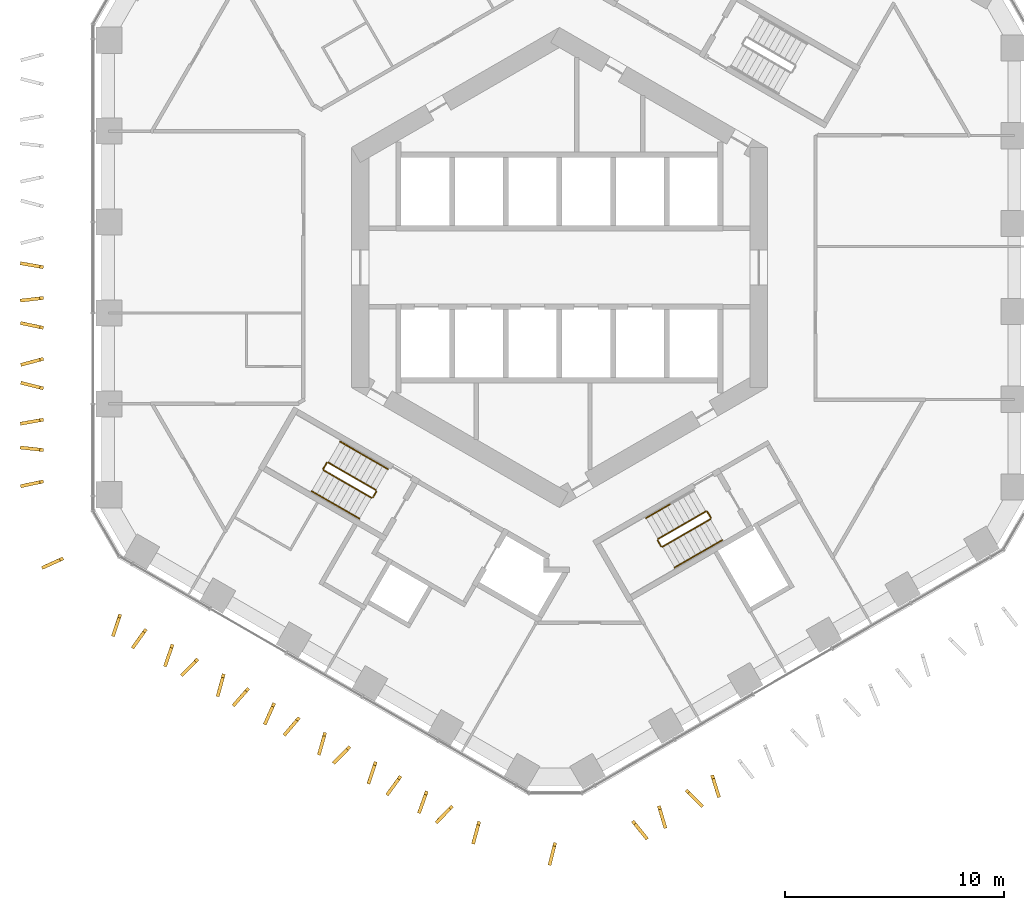
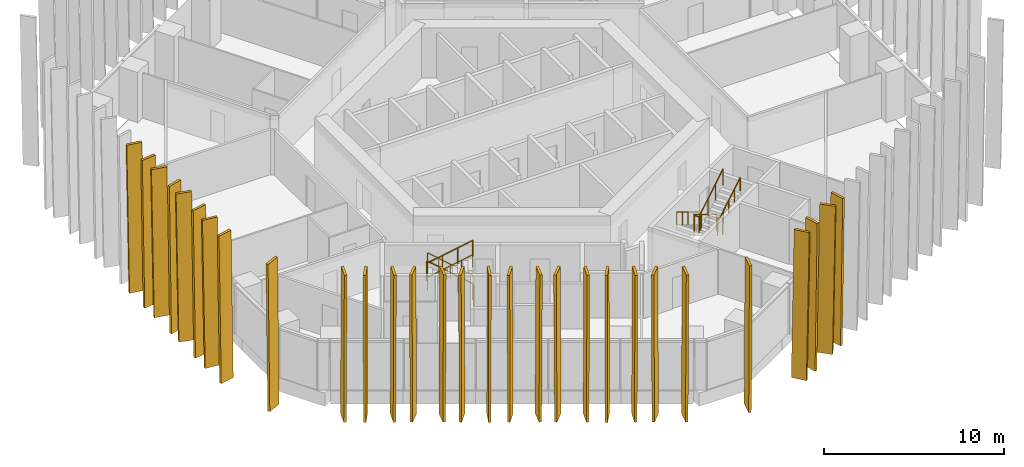
# One storey, part 18 of 20: 29 shading devices, 15 railings.
"""IFC4 building model written with IfcOpenShell, lengths in metres."""

from ifc_helpers import new_model, si_unit, direction, frame, origin, origin_2d, place, context, subcontext, project, spatial, polyline, circle, outline, extrude, material, layer, layer_set, type_object, element, save


model = new_model("IFC4")

# Units and contexts
model_context = context("Model", 3, precision=1e-05, world=origin(), true_north=direction((0.0, 1.0)))
body_context = subcontext(model_context, "Body", "Model", "MODEL_VIEW")
ifc_project = project(units=[si_unit("LENGTHUNIT", "METRE"), si_unit("AREAUNIT", "SQUARE_METRE"), si_unit("VOLUMEUNIT", "CUBIC_METRE"), si_unit("PLANEANGLEUNIT", "RADIAN"), si_unit("MASSUNIT", "GRAM", prefix="KILO")], contexts=[model_context])

# Site, building, storey
site_placement = place(None, origin())
site = spatial("IfcSite", under=ifc_project, at=site_placement, CompositionType="ELEMENT")
building_placement = place(site_placement, origin())
building = spatial("IfcBuilding", under=site, at=building_placement, Name="Ayvan Gate Tower", CompositionType="ELEMENT")
storey_placement = place(building_placement, frame((0.0, 0.0, 35.699951171875)))
storey = spatial("IfcBuildingStorey", under=building, at=storey_placement, Name="L08", CompositionType="ELEMENT", Elevation=35.699951171875)

# Shading devices
ifc_material_1 = material(Name="Bronze anodised aluminium", Category="aluminium")
ifc_layer = layer(ifc_material_1, 0.14990234375)
ifc_layer_set = layer_set([ifc_layer], Name="Bronze anodised aluminium")
shading_device_type = type_object("IfcShadingDeviceType", Name="Bronze fin 900 x 150", PredefinedType="USERDEFINED", material=ifc_layer_set)
shading_device_1_placement = place(storey_placement, frame((-23.560546875, 0.0859375, 0.0), z_axis=(0.172663272649, 0.984980900215, 0.000143141374), x_axis=(-0.984980910306, 0.17266327442, -1.9123e-08)))
element("IfcShadingDevice", 1, at=shading_device_1_placement, inside=storey, type_object=shading_device_type, Name="Bronze fin FG02.3.24", ObjectType="FIN", PredefinedType="USERDEFINED", context=body_context, shape_type="SweptSolid", body=[
    extrude(outline(polyline([(0.0, 0.0), (0.9000127419739711, -6.776263578034403e-21), (1.0672941366405277, 10.080078248677435), (0.16732354878628808, 10.080078214256483), (0.0, 0.0)])), origin(), (0.0, 0.0, -1.0), 0.14990234375),
])
shading_device_2_placement = place(storey_placement, frame((-23.58251953125, -1.317626953125, 0.0), z_axis=(-0.112024119441, 0.993705475962, 0.000153971259), x_axis=(-0.993705487741, -0.112024120769, -2.339e-09)))
element("IfcShadingDevice", 2, at=shading_device_2_placement, inside=storey, type_object=shading_device_type, Name="Bronze fin FG02.3.25", ObjectType="FIN", PredefinedType="USERDEFINED", context=body_context, shape_type="SweptSolid", body=[
    extrude(outline(polyline([(0.0, 0.0), (0.9001960129295483, 0.0), (1.0671940431122766, 10.08007824698109), (0.1672406340615714, 10.080078242770599), (0.0, 0.0)])), origin(), (0.0, 0.0, -1.0), 0.14990234375),
])
shading_device_3_placement = place(storey_placement, frame((-23.557861328125, -2.682373046875, 0.0), z_axis=(0.205497744868, 0.978657577046, 0.000154095417), x_axis=(-0.978657588664, 0.205497747312, -2.4754e-08)))
element("IfcShadingDevice", 3, at=shading_device_3_placement, inside=storey, type_object=shading_device_type, Name="Bronze fin FG02.3.26", ObjectType="FIN", PredefinedType="USERDEFINED", context=body_context, shape_type="SweptSolid", body=[
    extrude(outline(polyline([(0.0, 0.0), (0.8998499059505981, 3.3881317890172014e-21), (1.067133493766855, 10.080078271093132), (0.16709482808936452, 10.08007822653941), (0.0, 0.0)])), origin(), (0.0, 0.0, -1.0), 0.14990234375),
])
shading_device_4_placement = place(storey_placement, frame((-23.591552734375, -4.10009765625, 0.0), z_axis=(-0.25540786624, 0.966833388509, 0.000143970037), x_axis=(-0.966833398529, -0.255407868885, -1.8881e-08)))
element("IfcShadingDevice", 4, at=shading_device_4_placement, inside=storey, type_object=shading_device_type, Name="Bronze fin FG02.3.27", ObjectType="FIN", PredefinedType="USERDEFINED", context=body_context, shape_type="SweptSolid", body=[
    extrude(outline(polyline([(0.0, 0.0), (0.8999348234812102, -6.776263578034403e-21), (1.067009551934036, 10.08007824961287), (0.16701237301608637, 10.080078215628529), (0.0, 0.0)])), origin(), (0.0, 0.0, -1.0), 0.14990234375),
])
shading_device_5_placement = place(storey_placement, frame((-23.55419921875, -5.451171875, 0.0), z_axis=(0.244385986199, 0.969678025151, 0.000131487133), x_axis=(-0.969678033533, 0.244385988311, 0.0)))
element("IfcShadingDevice", 5, at=shading_device_5_placement, inside=storey, type_object=shading_device_type, Name="Bronze fin FG02.3.28", ObjectType="FIN", PredefinedType="USERDEFINED", context=body_context, shape_type="SweptSolid", body=[
    extrude(outline(polyline([(0.0, 0.0), (0.9000953968140175, 0.0), (1.067191691346759, 10.080078212136561), (0.16709629453274144, 10.080078212136561), (0.0, 0.0)])), origin(), (0.0, 0.0, -1.0), 0.14990234375),
])
shading_device_6_placement = place(storey_placement, frame((-23.586669921875, -6.876220703125, 0.0), z_axis=(-0.175231999907, 0.984527157375, 0.000150331861), x_axis=(-0.9845271685, -0.175232001887, -3.572e-09)))
element("IfcShadingDevice", 6, at=shading_device_6_placement, inside=storey, type_object=shading_device_type, Name="Bronze fin FG02.3.29", ObjectType="FIN", PredefinedType="USERDEFINED", context=body_context, shape_type="SweptSolid", body=[
    extrude(outline(polyline([(0.0, 0.0), (0.9001546618344943, -3.3881317890172014e-21), (1.0670690519647303, 10.080078242715189), (0.16715475320848305, 10.080078236284663), (0.0, 0.0)])), origin(), (0.0, 0.0, -1.0), 0.14990234375),
])
shading_device_7_placement = place(storey_placement, frame((-23.56591796875, -8.265869140625, 0.0), z_axis=(0.110967519887, 0.993824022855, 0.000145349725), x_axis=(-0.993824033353, 0.11096752106, 0.0)))
element("IfcShadingDevice", 7, at=shading_device_7_placement, inside=storey, type_object=shading_device_type, Name="Bronze fin FG02.3.30", ObjectType="FIN", PredefinedType="USERDEFINED", context=body_context, shape_type="SweptSolid", body=[
    extrude(outline(polyline([(0.0, 0.0), (0.8998445191125883, 0.0), (1.0669738875665722, 10.080078231478602), (0.16712936845398382, 10.080078231478602), (0.0, 0.0)])), origin(), (0.0, 0.0, -1.0), 0.14990234375),
])
shading_device_8_placement = place(storey_placement, frame((-23.588623046875, -9.698486328125, 0.0), z_axis=(-0.20630441024, 0.978487847121, 0.000152812125), x_axis=(-0.978487858545, -0.206304412652, 2.0281e-08)))
element("IfcShadingDevice", 8, at=shading_device_8_placement, inside=storey, type_object=shading_device_type, Name="Bronze fin FG02.3.31", ObjectType="FIN", PredefinedType="USERDEFINED", context=body_context, shape_type="SweptSolid", body=[
    extrude(outline(polyline([(0.0, 0.0), (0.900000821240381, 0.0), (1.0672215154228042, 10.080078221048833), (0.16727106147066828, 10.080078257552891), (0.0, 0.0)])), origin(), (0.0, 0.0, -1.0), 0.14990234375),
])
shading_device_9_placement = place(storey_placement, frame((-22.701171875, -13.21826171875, 0.0), z_axis=(-0.413925555418, 0.91031072345, 0.000146096424), x_axis=(-0.910310733165, -0.413925559836, 0.0)))
element("IfcShadingDevice", 9, at=shading_device_9_placement, inside=storey, type_object=shading_device_type, Name="Bronze fin FG02.4.32", ObjectType="FIN", PredefinedType="USERDEFINED", context=body_context, shape_type="SweptSolid", body=[
    extrude(outline(polyline([(0.0, 0.0), (0.9000618224633137, 0.0), (1.0672804386956734, 10.08007823257543), (0.16721861623235973, 10.08007823257543), (0.0, 0.0)])), origin(), (0.0, 0.0, -1.0), 0.14990234375),
])
shading_device_10_placement = place(storey_placement, frame((-20.1318359375, -15.819580078125, 0.0), z_axis=(-0.947852754339, 0.318708538088, 0.000154406125), x_axis=(-0.318708541886, -0.947852765639, 6.673e-09)))
element("IfcShadingDevice", 10, at=shading_device_10_placement, inside=storey, type_object=shading_device_type, Name="Bronze fin FG02.5.33", ObjectType="FIN", PredefinedType="USERDEFINED", context=body_context, shape_type="SweptSolid", body=[
    extrude(outline(polyline([(0.0, 0.0), (0.9002021368709099, 0.0), (1.067113949386611, 10.080078238039876), (0.16714322188231223, 10.080078250052626), (0.0, 0.0)])), origin(), (0.0, 0.0, -1.0), 0.14990234375),
])
shading_device_11_placement = place(storey_placement, frame((-18.9453125, -16.480224609375, 0.0), z_axis=(-0.812200131244, 0.583378885184, 0.000152083509), x_axis=(-0.583378891928, -0.812200140638, 1.6756e-08)))
element("IfcShadingDevice", 11, at=shading_device_11_placement, inside=storey, type_object=shading_device_type, Name="Bronze fin FG02.5.34", ObjectType="FIN", PredefinedType="USERDEFINED", context=body_context, shape_type="SweptSolid", body=[
    extrude(outline(polyline([(0.0, 0.0), (0.8999003512490823, 0.0), (1.0672019706034617, 10.080078223691407), (0.1671591928670923, 10.08007825385059), (0.0, 0.0)])), origin(), (0.0, 0.0, -1.0), 0.14990234375),
])
shading_device_12_placement = place(storey_placement, frame((-17.743408203125, -17.19775390625, 0.0), z_axis=(-0.943928108129, 0.330151029629, 0.000155947465), x_axis=(-0.330151033642, -0.943928119607, 6.983e-09)))
element("IfcShadingDevice", 12, at=shading_device_12_placement, inside=storey, type_object=shading_device_type, Name="Bronze fin FG02.5.35", ObjectType="FIN", PredefinedType="USERDEFINED", context=body_context, shape_type="SweptSolid", body=[
    extrude(outline(polyline([(0.0, 0.0), (0.9000643711365356, -1.3552527156068805e-20), (1.0671295413540909, 10.080078240120281), (0.16729562141863122, 10.08007825268855), (0.0, 0.0)])), origin(), (0.0, 0.0, -1.0), 0.14990234375),
])
shading_device_13_placement = place(storey_placement, frame((-16.574951171875, -17.83349609375, 0.0), z_axis=(-0.714124678783, 0.700018512288, 0.000160021695), x_axis=(-0.700018521251, -0.714124687926, -3.06e-10)))
element("IfcShadingDevice", 13, at=shading_device_13_placement, inside=storey, type_object=shading_device_type, Name="Bronze fin FG02.5.36", ObjectType="FIN", PredefinedType="USERDEFINED", context=body_context, shape_type="SweptSolid", body=[
    extrude(outline(polyline([(0.0, 0.0), (0.9001557877583685, -1.3552527156068805e-20), (1.0671167832617368, 10.08007825438665), (0.16730624531029628, 10.08007825383566), (0.0, 0.0)])), origin(), (0.0, 0.0, -1.0), 0.14990234375),
])
shading_device_14_placement = place(storey_placement, frame((-15.40625, -18.5517578125, 0.0), z_axis=(-0.964229656786, 0.265068197715, 0.000139767664), x_axis=(-0.265068200304, -0.964229666204, 0.0)))
element("IfcShadingDevice", 14, at=shading_device_14_placement, inside=storey, type_object=shading_device_type, Name="Bronze fin FG02.5.37", ObjectType="FIN", PredefinedType="USERDEFINED", context=body_context, shape_type="SweptSolid", body=[
    extrude(outline(polyline([(0.0, 0.0), (0.8998642249476343, 0.0), (1.067093727457511, 10.080078223457166), (0.16722950250987673, 10.080078223457166), (0.0, 0.0)])), origin(), (0.0, 0.0, -1.0), 0.14990234375),
])
shading_device_15_placement = place(storey_placement, frame((-14.25927734375, -19.176025390625, 0.0), z_axis=(-0.750640851482, 0.660710442278, 0.000153464156), x_axis=(-0.66071045006, -0.750640860319, -1.5624e-08)))
element("IfcShadingDevice", 15, at=shading_device_15_placement, inside=storey, type_object=shading_device_type, Name="Bronze fin FG02.5.38", ObjectType="FIN", PredefinedType="USERDEFINED", context=body_context, shape_type="SweptSolid", body=[
    extrude(outline(polyline([(0.0, 0.0), (0.9000278117311507, 0.0), (1.067061232565418, 10.080078260371012), (0.16719472709648917, 10.080078232249395), (0.0, 0.0)])), origin(), (0.0, 0.0, -1.0), 0.14990234375),
])
shading_device_16_placement = place(storey_placement, frame((-13.096435546875, -19.874267578125, 0.0), z_axis=(-0.912012835323, 0.410161632067, 0.000154229161), x_axis=(-0.410161636945, -0.91201284617, 0.0)))
element("IfcShadingDevice", 16, at=shading_device_16_placement, inside=storey, type_object=shading_device_type, Name="Bronze fin FG02.5.39", ObjectType="FIN", PredefinedType="USERDEFINED", context=body_context, shape_type="SweptSolid", body=[
    extrude(outline(polyline([(0.0, 0.0), (0.8999881796590448, 1.3552527156068805e-20), (1.0671333224100925, 10.08007824488557), (0.16714514275104783, 10.08007824488557), (0.0, 0.0)])), origin(), (0.0, 0.0, -1.0), 0.14990234375),
])
shading_device_17_placement = place(storey_placement, frame((-11.943603515625, -20.5146484375, 0.0), z_axis=(-0.760709850833, 0.64909205671, 0.000157361927), x_axis=(-0.649092064748, -0.76070986025, -1.3854e-08)))
element("IfcShadingDevice", 17, at=shading_device_17_placement, inside=storey, type_object=shading_device_type, Name="Bronze fin FG02.5.40", ObjectType="FIN", PredefinedType="USERDEFINED", context=body_context, shape_type="SweptSolid", body=[
    extrude(outline(polyline([(0.0, 0.0), (0.8999774802446858, 0.0), (1.0670486523734528, 10.080078264588568), (0.16688545194804205, 10.080078239648891), (0.0, 0.0)])), origin(), (0.0, 0.0, -1.0), 0.14990234375),
])
shading_device_18_placement = place(storey_placement, frame((-10.775146484375, -21.22509765625, 0.0), z_axis=(-0.962626624287, 0.27083197643, 0.000150853937), x_axis=(-0.270831979509, -0.962626635241, 1.9695e-08)))
element("IfcShadingDevice", 18, at=shading_device_18_placement, inside=storey, type_object=shading_device_type, Name="Bronze fin FG02.5.41", ObjectType="FIN", PredefinedType="USERDEFINED", context=body_context, shape_type="SweptSolid", body=[
    extrude(outline(polyline([(0.0, 0.0), (0.9000615830126885, 0.0), (1.067309330904831, 10.08007821867524), (0.16718162680339518, 10.080078254129672), (0.0, 0.0)])), origin(), (0.0, 0.0, -1.0), 0.14990234375),
])
shading_device_19_placement = place(storey_placement, frame((-9.627685546875, -21.843994140625, 0.0), z_axis=(-0.710421862435, 0.703776067998, 0.000153255427), x_axis=(-0.703776076265, -0.710421870776, -1.4765e-08)))
element("IfcShadingDevice", 19, at=shading_device_19_placement, inside=storey, type_object=shading_device_type, Name="Bronze fin FG02.5.42", ObjectType="FIN", PredefinedType="USERDEFINED", context=body_context, shape_type="SweptSolid", body=[
    extrude(outline(polyline([(0.0, 0.0), (0.9001205560230299, 1.3552527156068805e-20), (1.0672391393484162, 10.080078259134618), (0.1672904036565058, 10.0800782325561), (0.0, 0.0)])), origin(), (0.0, 0.0, -1.0), 0.14990234375),
])
shading_device_20_placement = place(storey_placement, frame((-8.46142578125, -22.557861328125, 0.0), z_axis=(-0.949116396856, 0.314925446342, 0.000168718855), x_axis=(-0.314925450824, -0.949116410365, 0.0)))
element("IfcShadingDevice", 20, at=shading_device_20_placement, inside=storey, type_object=shading_device_type, Name="Bronze fin FG02.5.43", ObjectType="FIN", PredefinedType="USERDEFINED", context=body_context, shape_type="SweptSolid", body=[
    extrude(outline(polyline([(0.0, 0.0), (0.9000455977227162, 0.0), (1.0671948454717168, 10.080078268470016), (0.16714924774900058, 10.080078268470016), (0.0, 0.0)])), origin(), (0.0, 0.0, -1.0), 0.14990234375),
])
shading_device_21_placement = place(storey_placement, frame((-7.3115234375, -23.196044921875, 0.0), z_axis=(-0.807232048264, 0.590234185828, 0.00016166572), x_axis=(-0.590234193541, -0.807232058813, 0.0)))
element("IfcShadingDevice", 21, at=shading_device_21_placement, inside=storey, type_object=shading_device_type, Name="Bronze fin FG02.5.44", ObjectType="FIN", PredefinedType="USERDEFINED", context=body_context, shape_type="SweptSolid", body=[
    extrude(outline(polyline([(0.0, 0.0), (0.9000664580497653, 1.3552527156068805e-20), (1.0673349394905713, 10.08007825672548), (0.1672684814408059, 10.08007825672548), (0.0, 0.0)])), origin(), (0.0, 0.0, -1.0), 0.14990234375),
])
shading_device_22_placement = place(storey_placement, frame((-6.128173828125, -23.9033203125, 0.0), z_axis=(-0.94104637382, 0.338277552077, 0.000141707473), x_axis=(-0.338277555473, -0.941046383269, 0.0)))
element("IfcShadingDevice", 22, at=shading_device_22_placement, inside=storey, type_object=shading_device_type, Name="Bronze fin FG02.5.45", ObjectType="FIN", PredefinedType="USERDEFINED", context=body_context, shape_type="SweptSolid", body=[
    extrude(outline(polyline([(0.0, 0.0), (0.899980960750526, -6.776263578034403e-21), (1.067062672451824, 10.080078226209068), (0.16708171170129776, 10.080078226209068), (0.0, 0.0)])), origin(), (0.0, 0.0, -1.0), 0.14990234375),
])
shading_device_23_placement = place(storey_placement, frame((-4.941162109375, -24.550537109375, 0.0), z_axis=(-0.716335596448, 0.697755896199, 0.000150267964), x_axis=(-0.697755904079, -0.716335604534, -1.4597e-08)))
element("IfcShadingDevice", 23, at=shading_device_23_placement, inside=storey, type_object=shading_device_type, Name="Bronze fin FG02.5.46", ObjectType="FIN", PredefinedType="USERDEFINED", context=body_context, shape_type="SweptSolid", body=[
    extrude(outline(polyline([(0.0, 0.0), (0.9001875665940436, -1.3552527156068805e-20), (1.0673321135173175, 10.080078254386123), (0.16731489748579287, 10.080078228108754), (0.0, 0.0)])), origin(), (0.0, 0.0, -1.0), 0.14990234375),
])
shading_device_24_placement = place(storey_placement, frame((-3.73583984375, -25.289794921875, 0.0), z_axis=(-0.964578911045, 0.263794429413, 0.000152898961), x_axis=(-0.263794432493, -0.964578922321, 2.0003e-08)))
element("IfcShadingDevice", 24, at=shading_device_24_placement, inside=storey, type_object=shading_device_type, Name="Bronze fin FG02.5.47", ObjectType="FIN", PredefinedType="USERDEFINED", context=body_context, shape_type="SweptSolid", body=[
    extrude(outline(polyline([(0.0, 0.0), (0.9000124111709517, -6.776263578034403e-21), (1.0671794273240611, 10.080078221479283), (0.16710261321548917, 10.080078257487191), (0.0, 0.0)])), origin(), (0.0, 0.0, -1.0), 0.14990234375),
])
shading_device_25_placement = place(storey_placement, frame((-0.267333984375, -26.256591796875, 0.0), z_axis=(-0.970579769673, 0.240779747194, 0.000155057844), x_axis=(-0.240779750086, -0.970579781341, 1.5353e-08)))
element("IfcShadingDevice", 25, at=shading_device_25_placement, inside=storey, type_object=shading_device_type, Name="Bronze fin FG02.6.48", ObjectType="FIN", PredefinedType="USERDEFINED", context=body_context, shape_type="SweptSolid", body=[
    extrude(outline(polyline([(0.0, 0.0), (0.8997401162558856, 0.0), (1.0669009435331698, 10.080078229797305), (0.16686508520418172, 10.080078257429097), (0.0, 0.0)])), origin(), (0.0, 0.0, -1.0), 0.14990234375),
])
shading_device_26_placement = place(storey_placement, frame((3.287109375, -25.336181640625, 0.0), z_axis=(-0.778667386321, -0.627436915019, 0.000138388858), x_axis=(0.627436921026, -0.778667393779, -1.1776e-08)))
element("IfcShadingDevice", 26, at=shading_device_26_placement, inside=storey, type_object=shading_device_type, Name="Bronze fin FG02.7.49", ObjectType="FIN", PredefinedType="USERDEFINED", context=body_context, shape_type="SweptSolid", body=[
    extrude(outline(polyline([(0.0, 0.0), (0.9001014858082264, 6.776263578034403e-21), (1.067147918629387, 10.080078234090692), (0.16723653716534495, 10.080078212894131), (0.0, 0.0)])), origin(), (0.0, 0.0, -1.0), 0.14990234375),
])
shading_device_27_placement = place(storey_placement, frame((4.47119140625, -24.61767578125, 0.0), z_axis=(-0.95898670101, -0.283451026037, 0.000152069455), x_axis=(0.283451029314, -0.958986712098, -5.845e-09)))
element("IfcShadingDevice", 27, at=shading_device_27_placement, inside=storey, type_object=shading_device_type, Name="Bronze fin FG02.7.50", ObjectType="FIN", PredefinedType="USERDEFINED", context=body_context, shape_type="SweptSolid", body=[
    extrude(outline(polyline([(0.0, 0.0), (0.9001912450225134, 0.0), (1.0671510287726704, 10.080078247789158), (0.1671939113654157, 10.080078237267031), (0.0, 0.0)])), origin(), (0.0, 0.0, -1.0), 0.14990234375),
])
shading_device_28_placement = place(storey_placement, frame((5.739990234375, -23.927490234375, 0.0), z_axis=(-0.707513585329, -0.706699727677, 0.000146550096), x_axis=(0.706699735266, -0.707513592926, 0.0)))
element("IfcShadingDevice", 28, at=shading_device_28_placement, inside=storey, type_object=shading_device_type, Name="Bronze fin FG02.7.51", ObjectType="FIN", PredefinedType="USERDEFINED", context=body_context, shape_type="SweptSolid", body=[
    extrude(outline(polyline([(0.0, 0.0), (0.899938540214543, 0.0), (1.067046937532476, 10.080078233244572), (0.16710839731793312, 10.080078233244572), (0.0, 0.0)])), origin(), (0.0, 0.0, -1.0), 0.14990234375),
])
shading_device_29_placement = place(storey_placement, frame((6.90380859375, -23.21484375, 0.0), z_axis=(-0.954455833402, -0.298352207088, 0.000150369071), x_axis=(0.298352210461, -0.954455844192, 0.0)))
element("IfcShadingDevice", 29, at=shading_device_29_placement, inside=storey, type_object=shading_device_type, Name="Bronze fin FG02.7.52", ObjectType="FIN", PredefinedType="USERDEFINED", context=body_context, shape_type="SweptSolid", body=[
    extrude(outline(polyline([(0.0, 0.0), (0.9001263543017994, 6.776263578034403e-21), (1.0671196938442955, 10.080078238959608), (0.16699333954249612, 10.080078238959608), (0.0, 0.0)])), origin(), (0.0, 0.0, -1.0), 0.14990234375),
])

# Railings
ifc_material_2 = material(Name="Stainless steel balustrade", Category="steel")
railing_type_1 = type_object("IfcRailingType", Name="RL-GUARD-1100", PredefinedType="GUARDRAIL", material=ifc_material_2)
railing_1_placement = place(storey_placement, frame((-8.381103515625, -10.16650390625, 0.170166015625)))
element("IfcRailing", 30, at=railing_1_placement, inside=storey, type_object=railing_type_1, Name="L08 STS2 stair guard 1", PredefinedType="GUARDRAIL", context=body_context, shape_type="SweptSolid", body=[
    extrude(circle(Radius=0.02392578125, at=origin_2d()), frame((0.0, 0.0, 1.076171875), z_axis=(-0.740292969978, 0.427413806696, 0.51892557891), x_axis=(-0.500004791531, -0.866022637375, 0.0)), (0.0, 0.0, 1.0), 2.947998046875),
    extrude(circle(Radius=0.02099609375, at=origin_2d()), origin(), (0.0, 0.0, 1.0), 1.052001953125),
    extrude(circle(Radius=0.02099609375, at=origin_2d()), frame((-0.7275390625, 0.419921875, 0.510009765625)), (0.0, 0.0, 1.0), 1.052001953125),
    extrude(circle(Radius=0.02099609375, at=origin_2d()), frame((-1.454833984375, 0.840087890625, 1.019775390625)), (0.0, 0.0, 1.0), 1.052001953125),
    extrude(circle(Radius=0.02099609375, at=origin_2d()), frame((-2.182373046875, 1.260009765625, 1.52978515625)), (0.0, 0.0, 1.0), 1.052001953125),
])
railing_2_placement = place(storey_placement, frame((-10.6318359375, -8.9248046875, 1.699951171875)))
element("IfcRailing", 31, at=railing_2_placement, inside=storey, type_object=railing_type_1, Name="L08 STS2 stair guard 2", PredefinedType="GUARDRAIL", context=body_context, shape_type="SweptSolid", body=[
    extrude(circle(Radius=0.02392578125, at=origin_2d()), frame((0.0, 0.0, 1.076171875), z_axis=(-0.499949632511, -0.866054481515, 0.0), x_axis=(0.866054481515, -0.499949632511, 0.0)), (0.0, 0.0, 1.0), 0.31005859375),
    extrude(circle(Radius=0.02099609375, at=origin_2d()), origin(), (0.0, 0.0, 1.0), 1.052001953125),
    extrude(circle(Radius=0.02099609375, at=origin_2d()), frame((-0.155029296875, -0.2685546875, 0.0)), (0.0, 0.0, 1.0), 1.052001953125),
])
railing_3_placement = place(storey_placement, frame((-10.7685546875, -9.261474609375, 1.8701171875)))
element("IfcRailing", 32, at=railing_3_placement, inside=storey, type_object=railing_type_1, Name="L08 STS2 stair guard 3", PredefinedType="GUARDRAIL", context=body_context, shape_type="SweptSolid", body=[
    extrude(circle(Radius=0.02392578125, at=origin_2d()), frame((0.0, 0.0, 1.076171875), z_axis=(0.740261155115, -0.427395438142, 0.518986090067), x_axis=(0.500004791531, 0.866022637375, 0.0)), (0.0, 0.0, 1.0), 2.947998046875),
    extrude(circle(Radius=0.02099609375, at=origin_2d()), origin(), (0.0, 0.0, 1.0), 1.052001953125),
    extrude(circle(Radius=0.02099609375, at=origin_2d()), frame((0.7275390625, -0.419921875, 0.510009765625)), (0.0, 0.0, 1.0), 1.052001953125),
    extrude(circle(Radius=0.02099609375, at=origin_2d()), frame((1.454833984375, -0.840087890625, 1.02001953125)), (0.0, 0.0, 1.0), 1.052001953125),
    extrude(circle(Radius=0.02099609375, at=origin_2d()), frame((2.182373046875, -1.260009765625, 1.530029296875)), (0.0, 0.0, 1.0), 1.052001953125),
])
railing_4_placement = place(storey_placement, frame((-8.36279296875, -10.23486328125, 0.0)))
element("IfcRailing", 33, at=railing_4_placement, inside=storey, type_object=railing_type_1, Name="L08 STS2 stair guard 4", PredefinedType="GUARDRAIL", context=body_context, shape_type="SweptSolid", body=[
    extrude(circle(Radius=0.02392578125, at=origin_2d()), frame((0.0, 0.0, 1.076171875), z_axis=(-0.500290723946, -0.86585748916, 0.0), x_axis=(0.86585748916, -0.500290723946, 0.0)), (0.0, 0.0, 1.0), 0.309814453125),
    extrude(circle(Radius=0.02099609375, at=origin_2d()), origin(), (0.0, 0.0, 1.0), 1.052001953125),
    extrude(circle(Radius=0.02099609375, at=origin_2d()), frame((-0.155029296875, -0.268310546875, 0.0)), (0.0, 0.0, 1.0), 1.052001953125),
])
railing_5_placement = place(storey_placement, frame((6.6923828125, -11.1416015625, 0.170166015625)))
element("IfcRailing", 34, at=railing_5_placement, inside=storey, type_object=railing_type_1, Name="L08 STS3 stair guard 1", PredefinedType="GUARDRAIL", context=body_context, shape_type="SweptSolid", body=[
    extrude(circle(Radius=0.02392578125, at=origin_2d()), frame((0.0, 0.0, 1.076171875), z_axis=(-0.740292969978, -0.427413806696, 0.51892557891), x_axis=(0.500004791531, -0.866022637375, 0.0)), (0.0, 0.0, 1.0), 2.947998046875),
    extrude(circle(Radius=0.02099609375, at=origin_2d()), origin(), (0.0, 0.0, 1.0), 1.052001953125),
    extrude(circle(Radius=0.02099609375, at=origin_2d()), frame((-0.7275390625, -0.419921875, 0.510009765625)), (0.0, 0.0, 1.0), 1.052001953125),
    extrude(circle(Radius=0.02099609375, at=origin_2d()), frame((-1.454833984375, -0.840087890625, 1.019775390625)), (0.0, 0.0, 1.0), 1.052001953125),
    extrude(circle(Radius=0.02099609375, at=origin_2d()), frame((-2.182373046875, -1.260009765625, 1.52978515625)), (0.0, 0.0, 1.0), 1.052001953125),
])
railing_6_placement = place(storey_placement, frame((4.49169921875, -12.4697265625, 1.699951171875)))
element("IfcRailing", 35, at=railing_6_placement, inside=storey, type_object=railing_type_1, Name="L08 STS3 stair guard 2", PredefinedType="GUARDRAIL", context=body_context, shape_type="SweptSolid", body=[
    extrude(circle(Radius=0.02392578125, at=origin_2d()), frame((0.0, 0.0, 1.076171875), z_axis=(0.499949632511, -0.866054481515, 0.0), x_axis=(0.866054481515, 0.499949632511, 0.0)), (0.0, 0.0, 1.0), 0.31005859375),
    extrude(circle(Radius=0.02099609375, at=origin_2d()), origin(), (0.0, 0.0, 1.0), 1.052001953125),
    extrude(circle(Radius=0.02099609375, at=origin_2d()), frame((0.155029296875, -0.2685546875, 0.0)), (0.0, 0.0, 1.0), 1.052001953125),
])
railing_7_placement = place(storey_placement, frame((4.715087890625, -12.756591796875, 1.8701171875)))
element("IfcRailing", 36, at=railing_7_placement, inside=storey, type_object=railing_type_1, Name="L08 STS3 stair guard 3", PredefinedType="GUARDRAIL", context=body_context, shape_type="SweptSolid", body=[
    extrude(circle(Radius=0.02392578125, at=origin_2d()), frame((0.0, 0.0, 1.076171875), z_axis=(0.740261155115, 0.427395438142, 0.518986090067), x_axis=(-0.500004791531, 0.866022637375, 0.0)), (0.0, 0.0, 1.0), 2.947998046875),
    extrude(circle(Radius=0.02099609375, at=origin_2d()), origin(), (0.0, 0.0, 1.0), 1.052001953125),
    extrude(circle(Radius=0.02099609375, at=origin_2d()), frame((0.7275390625, 0.419921875, 0.510009765625)), (0.0, 0.0, 1.0), 1.052001953125),
    extrude(circle(Radius=0.02099609375, at=origin_2d()), frame((1.454833984375, 0.840087890625, 1.02001953125)), (0.0, 0.0, 1.0), 1.052001953125),
    extrude(circle(Radius=0.02099609375, at=origin_2d()), frame((2.182373046875, 1.260009765625, 1.530029296875)), (0.0, 0.0, 1.0), 1.052001953125),
])
railing_8_placement = place(storey_placement, frame((6.7607421875, -11.159912109375, 0.0)))
element("IfcRailing", 37, at=railing_8_placement, inside=storey, type_object=railing_type_1, Name="L08 STS3 stair guard 4", PredefinedType="GUARDRAIL", context=body_context, shape_type="SweptSolid", body=[
    extrude(circle(Radius=0.02392578125, at=origin_2d()), frame((0.0, 0.0, 1.076171875), z_axis=(0.500290723946, -0.86585748916, 0.0), x_axis=(0.86585748916, 0.500290723946, 0.0)), (0.0, 0.0, 1.0), 0.309814453125),
    extrude(circle(Radius=0.02099609375, at=origin_2d()), origin(), (0.0, 0.0, 1.0), 1.052001953125),
    extrude(circle(Radius=0.02099609375, at=origin_2d()), frame((0.155029296875, -0.268310546875, 0.0)), (0.0, 0.0, 1.0), 1.052001953125),
])
railing_type_2 = type_object("IfcRailingType", Name="RL-HANDRAIL-900", PredefinedType="HANDRAIL", material=ifc_material_2)
railing_9_placement = place(storey_placement, frame((-7.8310546875, -9.2138671875, 0.170166015625)))
element("IfcRailing", 38, at=railing_9_placement, inside=storey, type_object=railing_type_2, Name="L08 STS2 stair handrail 1", PredefinedType="HANDRAIL", context=body_context, shape_type="SweptSolid", body=[
    extrude(circle(Radius=0.02392578125, at=origin_2d()), frame((0.0, 0.0, 0.8759765625), z_axis=(-0.740356597536, 0.427319915356, 0.518912129772), x_axis=(-0.499890179513, -0.866088799389, 0.0)), (0.0, 0.0, 1.0), 1.47412109375),
    extrude(circle(Radius=0.02099609375, at=origin_2d()), origin(), (0.0, 0.0, 1.0), 0.851806640625),
    extrude(circle(Radius=0.02099609375, at=origin_2d()), frame((-0.545654296875, 0.31494140625, 0.38232421875)), (0.0, 0.0, 1.0), 0.851806640625),
    extrude(circle(Radius=0.02099609375, at=origin_2d()), frame((-1.09130859375, 0.6298828125, 0.764892578125)), (0.0, 0.0, 1.0), 0.851806640625),
])
railing_10_placement = place(storey_placement, frame((-8.92236328125, -8.583984375, 0.93505859375)))
element("IfcRailing", 39, at=railing_10_placement, inside=storey, type_object=railing_type_2, Name="L08 STS2 stair handrail 2", PredefinedType="HANDRAIL", context=body_context, shape_type="SweptSolid", body=[
    extrude(circle(Radius=0.02392578125, at=origin_2d()), frame((0.0, 0.0, 0.8759765625), z_axis=(-0.740229329464, 0.427507697325, 0.518939021976), x_axis=(-0.50011940292, -0.865956455501, 0.0)), (0.0, 0.0, 1.0), 1.473876953125),
    extrude(circle(Radius=0.02099609375, at=origin_2d()), origin(), (0.0, 0.0, 1.0), 0.851806640625),
    extrude(circle(Radius=0.02099609375, at=origin_2d()), frame((-0.54541015625, 0.31494140625, 0.38232421875)), (0.0, 0.0, 1.0), 0.851806640625),
    extrude(circle(Radius=0.02099609375, at=origin_2d()), frame((-1.091064453125, 0.630126953125, 0.764892578125)), (0.0, 0.0, 1.0), 0.851806640625),
])
railing_11_placement = place(storey_placement, frame((-11.318603515625, -10.214111328125, 1.8701171875)))
element("IfcRailing", 40, at=railing_11_placement, inside=storey, type_object=railing_type_2, Name="L08 STS2 stair handrail 3", PredefinedType="HANDRAIL", context=body_context, shape_type="SweptSolid", body=[
    extrude(circle(Radius=0.02392578125, at=origin_2d()), frame((0.0, 0.0, 0.8759765625), z_axis=(0.740304193401, -0.427455284825, 0.518875399983), x_axis=(0.500035496587, 0.86600490885, 0.0)), (0.0, 0.0, 1.0), 1.47412109375),
    extrude(circle(Radius=0.02099609375, at=origin_2d()), origin(), (0.0, 0.0, 1.0), 0.851806640625),
    extrude(circle(Radius=0.02099609375, at=origin_2d()), frame((0.545654296875, -0.31494140625, 0.38232421875)), (0.0, 0.0, 1.0), 0.851806640625),
    extrude(circle(Radius=0.02099609375, at=origin_2d()), frame((1.09130859375, -0.630126953125, 0.764892578125)), (0.0, 0.0, 1.0), 0.851806640625),
])
railing_12_placement = place(storey_placement, frame((-10.227294921875, -10.84423828125, 2.635009765625)))
element("IfcRailing", 41, at=railing_12_placement, inside=storey, type_object=railing_type_2, Name="L08 STS2 stair handrail 4", PredefinedType="HANDRAIL", context=body_context, shape_type="SweptSolid", body=[
    extrude(circle(Radius=0.02392578125, at=origin_2d()), frame((0.0, 0.0, 0.8759765625), z_axis=(0.740292964666, -0.42728318766, 0.519033143459), x_axis=(0.499890179513, 0.866088799389, 0.0)), (0.0, 0.0, 1.0), 1.47412109375),
    extrude(circle(Radius=0.02099609375, at=origin_2d()), origin(), (0.0, 0.0, 1.0), 0.851806640625),
    extrude(circle(Radius=0.02099609375, at=origin_2d()), frame((0.545654296875, -0.31494140625, 0.382568359375)), (0.0, 0.0, 1.0), 0.851806640625),
    extrude(circle(Radius=0.02099609375, at=origin_2d()), frame((1.09130859375, -0.6298828125, 0.76513671875)), (0.0, 0.0, 1.0), 0.851806640625),
])
railing_13_placement = place(storey_placement, frame((5.05126953125, -10.81884765625, 0.93505859375)))
element("IfcRailing", 42, at=railing_13_placement, inside=storey, type_object=railing_type_2, Name="L08 STS3 stair handrail 2", PredefinedType="HANDRAIL", context=body_context, shape_type="SweptSolid", body=[
    extrude(circle(Radius=0.02392578125, at=origin_2d()), frame((0.0, 0.0, 0.8759765625), z_axis=(-0.740304193401, -0.427455284825, 0.518875399983), x_axis=(0.500035496587, -0.86600490885, 0.0)), (0.0, 0.0, 1.0), 1.47412109375),
    extrude(circle(Radius=0.02099609375, at=origin_2d()), origin(), (0.0, 0.0, 1.0), 0.851806640625),
    extrude(circle(Radius=0.02099609375, at=origin_2d()), frame((-0.545654296875, -0.31494140625, 0.38232421875)), (0.0, 0.0, 1.0), 0.851806640625),
    extrude(circle(Radius=0.02099609375, at=origin_2d()), frame((-1.09130859375, -0.630126953125, 0.764892578125)), (0.0, 0.0, 1.0), 0.851806640625),
])
railing_14_placement = place(storey_placement, frame((5.264892578125, -13.709228515625, 1.8701171875)))
element("IfcRailing", 43, at=railing_14_placement, inside=storey, type_object=railing_type_2, Name="L08 STS3 stair handrail 3", PredefinedType="HANDRAIL", context=body_context, shape_type="SweptSolid", body=[
    extrude(circle(Radius=0.02392578125, at=origin_2d()), frame((0.0, 0.0, 0.8759765625), z_axis=(0.740304193401, 0.427455284825, 0.518875399983), x_axis=(-0.500035496587, 0.86600490885, 0.0)), (0.0, 0.0, 1.0), 1.47412109375),
    extrude(circle(Radius=0.02099609375, at=origin_2d()), origin(), (0.0, 0.0, 1.0), 0.851806640625),
    extrude(circle(Radius=0.02099609375, at=origin_2d()), frame((0.545654296875, 0.31494140625, 0.38232421875)), (0.0, 0.0, 1.0), 0.851806640625),
    extrude(circle(Radius=0.02099609375, at=origin_2d()), frame((1.09130859375, 0.630126953125, 0.764892578125)), (0.0, 0.0, 1.0), 0.851806640625),
])
railing_15_placement = place(storey_placement, frame((6.356201171875, -13.0791015625, 2.635009765625)))
element("IfcRailing", 44, at=railing_15_placement, inside=storey, type_object=railing_type_2, Name="L08 STS3 stair handrail 4", PredefinedType="HANDRAIL", context=body_context, shape_type="SweptSolid", body=[
    extrude(circle(Radius=0.02392578125, at=origin_2d()), frame((0.0, 0.0, 0.8759765625), z_axis=(0.740218099111, 0.427335577468, 0.519096782863), x_axis=(-0.499974077718, 0.866040369504, 0.0)), (0.0, 0.0, 1.0), 1.473876953125),
    extrude(circle(Radius=0.02099609375, at=origin_2d()), origin(), (0.0, 0.0, 1.0), 0.851806640625),
    extrude(circle(Radius=0.02099609375, at=origin_2d()), frame((0.54541015625, 0.31494140625, 0.382568359375)), (0.0, 0.0, 1.0), 0.851806640625),
    extrude(circle(Radius=0.02099609375, at=origin_2d()), frame((1.091064453125, 0.6298828125, 0.76513671875)), (0.0, 0.0, 1.0), 0.851806640625),
])

save(model, "model.ifc")
